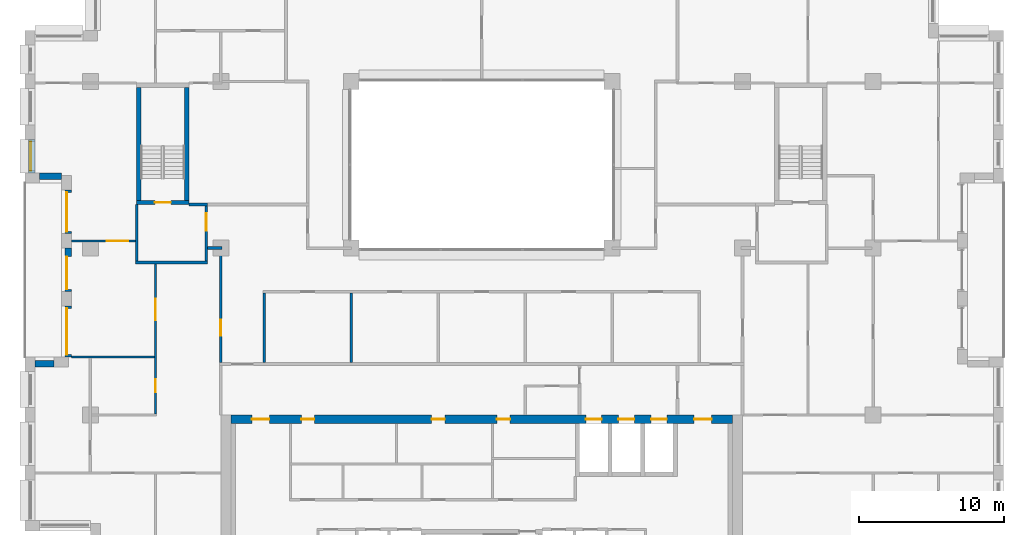
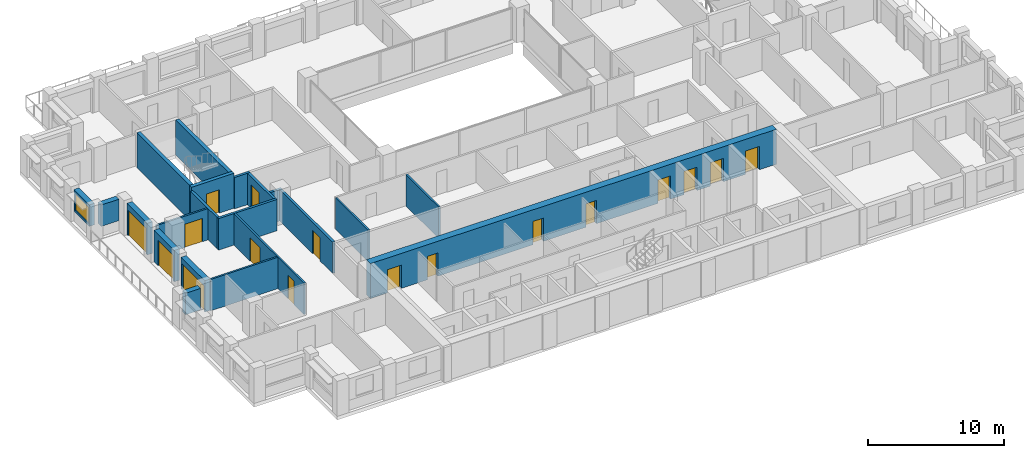
# One storey, part 9 of 16: 21 walls, 17 doors, 1 window, 18 openings.
"""IFC4 building model written with IfcOpenShell, lengths in metres."""

import ifcopenshell
import ifcopenshell.guid

model = None  # the IFC model being written
_history = None  # IfcOwnerHistory: only IFC2X3 demands one
_inside = {}  # id of a spatial element -> (the spatial element, [elements in it])
_under = {}  # id of a project, library or spatial element -> (it, [spatial elements below it])
_declared = {}  # id of a project -> (the project, [libraries it declares])
_typed = {}  # id of a type object -> (the type object, [elements of that type])
_made_of = {}  # id of a material, layer set ... -> (it, [elements and type objects made of it])


def new_model(schema):
    """Start an empty IFC model of exactly this schema.

    Asked for "IFC4X3", IfcOpenShell would pick the latest addendum, in which some entities
    have other attributes; the version numbers below select the first issue.
    IFC2X3 requires an IfcOwnerHistory on every rooted entity: one is made here for all.
    """
    global model, _history
    if schema == "IFC4X3":
        model = ifcopenshell.file(schema_version=(4, 3, 0, 0))
    else:
        model = ifcopenshell.file(schema=schema)
    _inside.clear()
    _under.clear()
    _declared.clear()
    _typed.clear()
    _made_of.clear()
    _history = None
    if model.schema == "IFC2X3":
        org = make("IfcOrganization", Name="unknown")
        user = make(
            "IfcPersonAndOrganization",
            ThePerson=make("IfcPerson", FamilyName="unknown"),
            TheOrganization=org,
        )
        app = make(
            "IfcApplication",
            ApplicationDeveloper=org,
            Version="unknown",
            ApplicationFullName="unknown",
            ApplicationIdentifier="unknown",
        )
        _history = make(
            "IfcOwnerHistory",
            OwningUser=user,
            OwningApplication=app,
            ChangeAction="ADDED",
            CreationDate=0,
        )
    return model


def make(cls, **values):
    """One entity of the class cls with the attributes given. An attribute that is None is left unset."""
    return model.create_entity(
        cls, **{name: value for name, value in values.items() if value is not None}
    )


def rooted(cls, **values):
    """An entity with a GlobalId (a new one), such as an element, a storey or a relation."""
    return make(cls, GlobalId=ifcopenshell.guid.new(), OwnerHistory=_history, **values)


def si_unit(unit_type, name, prefix=None):
    """IfcSIUnit, for example si_unit("LENGTHUNIT", "METRE", prefix="MILLI")."""
    return make("IfcSIUnit", UnitType=unit_type, Prefix=prefix, Name=name)


def assignment(units):
    """IfcUnitAssignment: the units of a project."""
    return None if units is None else make("IfcUnitAssignment", Units=units)


def point(xyz):
    """IfcCartesianPoint."""
    return None if xyz is None else make("IfcCartesianPoint", Coordinates=xyz)


def direction(xyz):
    """IfcDirection."""
    return None if xyz is None else make("IfcDirection", DirectionRatios=xyz)


def frame(location, z_axis=None, x_axis=None):
    """IfcAxis2Placement3D, a coordinate frame: its origin and axes. An axis left out is left unset."""
    return make(
        "IfcAxis2Placement3D",
        Location=point(location),
        Axis=direction(z_axis),
        RefDirection=direction(x_axis),
    )


def frame_2d(location, x_axis=None):
    """IfcAxis2Placement2D, a coordinate frame in the plane: its origin and x axis."""
    return make(
        "IfcAxis2Placement2D", Location=point(location), RefDirection=direction(x_axis)
    )


def origin():
    """The frame at (0, 0, 0) with its axes left unset."""
    return frame((0.0, 0.0, 0.0))


def place(relative_to, where):
    """IfcLocalPlacement: puts the frame where relative to a parent placement (None: the world)."""
    return make(
        "IfcLocalPlacement", PlacementRelTo=relative_to, RelativePlacement=where
    )


def context(
    kind, dimensions, precision=None, world=None, true_north=None, identifier=None
):
    """IfcGeometricRepresentationContext, for example the 3D "Model" context."""
    return make(
        "IfcGeometricRepresentationContext",
        ContextIdentifier=identifier,
        ContextType=kind,
        CoordinateSpaceDimension=dimensions,
        Precision=precision,
        WorldCoordinateSystem=world,
        TrueNorth=true_north,
    )


def subcontext(parent, identifier, kind, view, scale=None):
    """IfcGeometricRepresentationSubContext, for example "Body" below "Model"."""
    return make(
        "IfcGeometricRepresentationSubContext",
        ContextIdentifier=identifier,
        ContextType=kind,
        ParentContext=parent,
        TargetScale=scale,
        TargetView=view,
    )


def project(units=None, contexts=None):
    """IfcProject with its units and contexts."""
    return rooted(
        "IfcProject",
        Name="project",
        RepresentationContexts=contexts,
        UnitsInContext=assignment(units),
    )


def spatial(cls, under=None, at=None, **own):
    """A site, building, storey or space (cls), placed at a placement, below another one or the project."""
    s = rooted(cls, ObjectPlacement=at, **own)
    if under is not None:
        _under.setdefault(under.id(), (under, []))[1].append(s)
    return s


def profile(cls, at=None, kind="AREA", **sizes):
    """A parametric profile (cls). Its sizes go by their IFC names, for example OverallWidth=200.0."""
    return make(cls, ProfileType=kind, Position=at, **sizes)


def rectangle(**sizes):
    """IfcRectangleProfileDef."""
    return profile("IfcRectangleProfileDef", **sizes)


def extrude(swept, where, along, depth):
    """IfcExtrudedAreaSolid: the profile swept, set in the frame where, extruded along a direction by depth."""
    return make(
        "IfcExtrudedAreaSolid",
        SweptArea=swept,
        Position=where,
        ExtrudedDirection=direction(along),
        Depth=depth,
    )


def shape(context_of_items, identifier, shape_type, items):
    """IfcShapeRepresentation: the items that make up one representation, for example the "Body"."""
    return make(
        "IfcShapeRepresentation",
        ContextOfItems=context_of_items,
        RepresentationIdentifier=identifier,
        RepresentationType=shape_type,
        Items=items,
    )


def material(Name=None, Category=None):
    """IfcMaterial."""
    return make("IfcMaterial", Name=Name, Category=Category)


def layer(
    of_material, thickness, ventilated=None, Name=None, Category=None, Priority=None
):
    """IfcMaterialLayer: one layer of a wall or slab, of a material (None: an air gap)."""
    return make(
        "IfcMaterialLayer",
        Material=of_material,
        LayerThickness=thickness,
        IsVentilated=ventilated,
        Name=Name,
        Category=Category,
        Priority=Priority,
    )


def layer_set(layers, Name=None):
    """IfcMaterialLayerSet."""
    return make("IfcMaterialLayerSet", MaterialLayers=layers, LayerSetName=Name)


def made_of(thing, what):
    """Note that an element or type object is made of a material, layer set ...; save() writes the relation."""
    if what is not None:
        _made_of.setdefault(what.id(), (what, []))[1].append(thing)
    return thing


def type_object(cls, material=None, **own):
    """A type object (cls), such as IfcWallType, which elements share."""
    return made_of(rooted(cls, **own), material)


def element(
    cls,
    number,
    at=None,
    inside=None,
    cuts=None,
    type_object=None,
    material=None,
    context=None,
    identifier="Body",
    shape_type=None,
    held_by="IfcProductDefinitionShape",
    body=None,
    shapes=None,
    **own,
):
    """One element of the class cls, such as IfcWall. Its Tag is "e" and its number.

    at: its placement. inside: the storey or other place that contains it. cuts: it is an
    opening in that element (IfcRelVoidsElement). A single representation is given by context,
    identifier, shape_type and body (its items); several are given by shapes. held_by: the class
    of the entity that holds the representations. save() writes the other relations.
    """
    e = rooted(cls, Tag="e%d" % number, ObjectPlacement=at, **own)
    if body is not None:
        shapes = [shape(context, identifier, shape_type, body)]
    if shapes is not None:
        e.Representation = make(held_by, Representations=shapes)
    if inside is not None:
        _inside.setdefault(inside.id(), (inside, []))[1].append(e)
    if cuts is not None:
        rooted(
            "IfcRelVoidsElement", RelatingBuildingElement=cuts, RelatedOpeningElement=e
        )
    if type_object is not None:
        _typed.setdefault(type_object.id(), (type_object, []))[1].append(e)
    return made_of(e, material)


def fill(opening, filler):
    """IfcRelFillsElement: the door or window that sits in an opening."""
    return rooted(
        "IfcRelFillsElement",
        RelatingOpeningElement=opening,
        RelatedBuildingElement=filler,
    )


def aggregate(whole, parts):
    """IfcRelAggregates: a whole, such as a stair, and the parts it consists of."""
    return rooted("IfcRelAggregates", RelatingObject=whole, RelatedObjects=parts)


def save(model, path):
    """Write the relations noted so far, then the file.

    IfcRelAggregates (storeys below a building ...), IfcRelContainedInSpatialStructure (elements
    in a storey), IfcRelDefinesByType, IfcRelAssociatesMaterial and IfcRelDeclares: one each for
    every whole, place, type object, material and project.
    """
    for whole, parts in _under.values():
        aggregate(whole, parts)
    for where, things in _inside.values():
        rooted(
            "IfcRelContainedInSpatialStructure",
            RelatedElements=things,
            RelatingStructure=where,
        )
    for kind, things in _typed.values():
        rooted("IfcRelDefinesByType", RelatedObjects=things, RelatingType=kind)
    for what, things in _made_of.values():
        rooted("IfcRelAssociatesMaterial", RelatedObjects=things, RelatingMaterial=what)
    for by, libraries in _declared.values():
        rooted("IfcRelDeclares", RelatingContext=by, RelatedDefinitions=libraries)
    model.write(path)


model = new_model("IFC4")

# Units and contexts
model_context = context("Model", 3, precision=1e-05, world=origin(), true_north=direction((0.0, 1.0)))
body_context = subcontext(model_context, "Body", "Model", "MODEL_VIEW")
ifc_project = project(units=[si_unit("LENGTHUNIT", "METRE"), si_unit("AREAUNIT", "SQUARE_METRE"), si_unit("VOLUMEUNIT", "CUBIC_METRE"), si_unit("PLANEANGLEUNIT", "RADIAN"), si_unit("MASSUNIT", "GRAM", prefix="KILO")], contexts=[model_context])

# Site, building, storey
site_placement = place(None, origin())
site = spatial("IfcSite", under=ifc_project, at=site_placement, CompositionType="ELEMENT")
building_placement = place(site_placement, origin())
building = spatial("IfcBuilding", under=site, at=building_placement, Name="Brigalow Station Residences", CompositionType="ELEMENT")
storey_placement = place(building_placement, frame((0.0, 0.0, 160.199951171875)))
storey = spatial("IfcBuildingStorey", under=building, at=storey_placement, Name="L46", CompositionType="ELEMENT", Elevation=160.199951171875)

# Wall, opening, window
ifc_material_1 = material(Name="Clay brick masonry", Category="masonry")
ifc_layer_1 = layer(ifc_material_1, 0.449951171875)
ifc_layer_set_1 = layer_set([ifc_layer_1], Name="BRICK INFILL WALL 450")
wall_type_1 = type_object("IfcWallType", Name="BRICK INFILL WALL 450", PredefinedType="SOLIDWALL", material=ifc_layer_set_1)
wall_1_placement = place(storey_placement, frame((4.97509765625, 31.5, 0.900146484375), z_axis=(0.0, 0.0, 1.0), x_axis=(0.0, -1.0, 0.0)))
wall_1 = element("IfcWall", 1, at=wall_1_placement, inside=storey, type_object=wall_type_1, Name="L46/ewall/W-L46-39", PredefinedType="SOLIDWALL", context=body_context, shape_type="SweptSolid", body=[
    extrude(rectangle(XDim=2.300048828125, YDim=0.449951171875, at=frame_2d((1.14990234375, 0.0))), origin(), (0.0, 0.0, 1.0), 1.929931640625),
])
opening_1_placement = place(wall_1_placement, frame((0.14990234375, 0.0, 0.14990234375)))
opening_1 = element("IfcOpeningElement", 2, at=opening_1_placement, cuts=wall_1, Name="Opening WT-7", PredefinedType="OPENING", context=body_context, shape_type="SweptSolid", body=[
    extrude(rectangle(XDim=2.0, YDim=1.5, at=frame_2d((1.0, 0.75))), frame((0.0, 0.23486328125, 0.0), z_axis=(0.0, -1.0, 0.0), x_axis=(1.0, 0.0, 0.0)), (0.0, 0.0, 1.0), 0.469970703125),
])
ifc_material_2 = material(Name="Anodised aluminium frame with double glazing", Category="aluminium")
window_type = type_object("IfcWindowType", Name="WINDOW 2000x1500", PartitioningType="SINGLE_PANEL", PredefinedType="WINDOW", material=ifc_material_2)
window_placement = place(opening_1_placement, origin())
window = element("IfcWindow", 3, at=window_placement, inside=storey, type_object=window_type, Name="L46/window/W-L46-39", OverallHeight=1.5, OverallWidth=2.0, PartitioningType="SINGLE_PANEL", PredefinedType="WINDOW", context=body_context, shape_type="SweptSolid", body=[
    extrude(rectangle(XDim=2.0, YDim=1.5, at=frame_2d((1.0, 0.75))), frame((0.0, -0.06494140625, 0.0), z_axis=(0.0, -1.0, 0.0), x_axis=(1.0, 0.0, 0.0)), (0.0, 0.0, 1.0), 0.06005859375),
])
fill(opening_1, window)

# Wall
wall_2_placement = place(storey_placement, frame((5.5, 28.97509765625, 0.900146484375), z_axis=(0.0, 0.0, 1.0), x_axis=(1.0, 0.0, 0.0)))
element("IfcWall", 4, at=wall_2_placement, inside=storey, type_object=wall_type_1, Name="L46/ewall/W-L46-40", PredefinedType="SOLIDWALL", context=body_context, shape_type="SweptSolid", body=[
    extrude(rectangle(XDim=1.5, YDim=0.449951171875, at=frame_2d((0.75, 0.0))), origin(), (0.0, 0.0, 1.0), 1.929931640625),
])

# Wall, opening, door
wall_3_placement = place(storey_placement, frame((7.47509765625, 28.0, 0.0), z_axis=(0.0, 0.0, 1.0), x_axis=(0.0, -1.0, 0.0)))
wall_3 = element("IfcWall", 5, at=wall_3_placement, inside=storey, type_object=wall_type_1, Name="L46/ewall/W-L46-41", PredefinedType="SOLIDWALL", context=body_context, shape_type="SweptSolid", body=[
    extrude(rectangle(XDim=3.0, YDim=0.449951171875, at=frame_2d((1.5, 0.0))), origin(), (0.0, 0.0, 1.0), 2.830078125),
])
opening_2_placement = place(wall_3_placement, frame((0.14990234375, 0.0, 0.0)))
opening_2 = element("IfcOpeningElement", 6, at=opening_2_placement, cuts=wall_3, Name="Opening D-B2700", PredefinedType="OPENING", context=body_context, shape_type="SweptSolid", body=[
    extrude(rectangle(XDim=2.699951171875, YDim=2.300048828125, at=frame_2d((1.35009765625, 1.14990234375))), frame((0.0, 0.23486328125, 0.0), z_axis=(0.0, -1.0, 0.0), x_axis=(1.0, 0.0, 0.0)), (0.0, 0.0, 1.0), 0.469970703125),
])
ifc_material_3 = material(Name="Anodised aluminium frame with double glazing", Category="aluminium")
door_type_1 = type_object("IfcDoorType", Name="BALCONY SLIDING DOOR 2700x2300", OperationType="SLIDING_TO_LEFT", PredefinedType="DOOR", material=ifc_material_3)
door_1_placement = place(opening_2_placement, origin())
door_1 = element("IfcDoor", 7, at=door_1_placement, inside=storey, type_object=door_type_1, Name="L46/balcony-door/W-L46-41", OperationType="SLIDING_TO_LEFT", OverallHeight=2.300048828125, OverallWidth=2.699951171875, PredefinedType="DOOR", context=body_context, shape_type="SweptSolid", body=[
    extrude(rectangle(XDim=2.699951171875, YDim=2.300048828125, at=frame_2d((1.35009765625, 1.14990234375))), frame((0.0, -0.06982421875, 0.0), z_axis=(0.0, -1.0, 0.0), x_axis=(1.0, 0.0, 0.0)), (0.0, 0.0, 1.0), 0.050048828125),
])
fill(opening_2, door_1)

wall_4_placement = place(storey_placement, frame((7.47509765625, 24.0, 0.0), z_axis=(0.0, 0.0, 1.0), x_axis=(0.0, -1.0, 0.0)))
wall_4 = element("IfcWall", 8, at=wall_4_placement, inside=storey, type_object=wall_type_1, Name="L46/ewall/W-L46-42", PredefinedType="SOLIDWALL", context=body_context, shape_type="SweptSolid", body=[
    extrude(rectangle(XDim=3.0, YDim=0.449951171875, at=frame_2d((1.5, 0.0))), origin(), (0.0, 0.0, 1.0), 2.830078125),
])
opening_3_placement = place(wall_4_placement, frame((0.5849609375, 0.0, 0.0)))
opening_3 = element("IfcOpeningElement", 9, at=opening_3_placement, cuts=wall_4, Name="Opening D-B2250", PredefinedType="OPENING", context=body_context, shape_type="SweptSolid", body=[
    extrude(rectangle(XDim=2.25, YDim=2.300048828125, at=frame_2d((1.125, 1.14990234375))), frame((0.0, 0.23486328125, 0.0), z_axis=(0.0, -1.0, 0.0), x_axis=(1.0, 0.0, 0.0)), (0.0, 0.0, 1.0), 0.469970703125),
])
ifc_material_4 = material(Name="Anodised aluminium frame with double glazing", Category="aluminium")
door_type_2 = type_object("IfcDoorType", Name="BALCONY SLIDING DOOR 2250x2300", OperationType="SLIDING_TO_LEFT", PredefinedType="DOOR", material=ifc_material_4)
door_2_placement = place(opening_3_placement, origin())
door_2 = element("IfcDoor", 10, at=door_2_placement, inside=storey, type_object=door_type_2, Name="L46/balcony-door/W-L46-42", OperationType="SLIDING_TO_LEFT", OverallHeight=2.300048828125, OverallWidth=2.25, PredefinedType="DOOR", context=body_context, shape_type="SweptSolid", body=[
    extrude(rectangle(XDim=2.25, YDim=2.300048828125, at=frame_2d((1.125, 1.14990234375))), frame((0.0, -0.06982421875, 0.0), z_axis=(0.0, -1.0, 0.0), x_axis=(1.0, 0.0, 0.0)), (0.0, 0.0, 1.0), 0.050048828125),
])
fill(opening_3, door_2)

wall_5_placement = place(storey_placement, frame((7.47509765625, 20.0, 0.0), z_axis=(0.0, 0.0, 1.0), x_axis=(0.0, -1.0, 0.0)))
wall_5 = element("IfcWall", 11, at=wall_5_placement, inside=storey, type_object=wall_type_1, Name="L46/ewall/W-L46-43", PredefinedType="SOLIDWALL", context=body_context, shape_type="SweptSolid", body=[
    extrude(rectangle(XDim=3.5, YDim=0.449951171875, at=frame_2d((1.75, 0.0))), origin(), (0.0, 0.0, 1.0), 2.830078125),
])
opening_4_placement = place(wall_5_placement, frame((0.14990234375, 0.0, 0.0)))
opening_4 = element("IfcOpeningElement", 12, at=opening_4_placement, cuts=wall_5, Name="Opening D-B3200", PredefinedType="OPENING", context=body_context, shape_type="SweptSolid", body=[
    extrude(rectangle(XDim=3.199951171875, YDim=2.300048828125, at=frame_2d((1.60009765625, 1.14990234375))), frame((0.0, 0.23486328125, 0.0), z_axis=(0.0, -1.0, 0.0), x_axis=(1.0, 0.0, 0.0)), (0.0, 0.0, 1.0), 0.469970703125),
])
ifc_material_5 = material(Name="Anodised aluminium frame with double glazing", Category="aluminium")
door_type_3 = type_object("IfcDoorType", Name="BALCONY SLIDING DOOR 3200x2300", OperationType="SLIDING_TO_LEFT", PredefinedType="DOOR", material=ifc_material_5)
door_3_placement = place(opening_4_placement, origin())
door_3 = element("IfcDoor", 13, at=door_3_placement, inside=storey, type_object=door_type_3, Name="L46/balcony-door/W-L46-43", OperationType="SLIDING_TO_LEFT", OverallHeight=2.300048828125, OverallWidth=3.199951171875, PredefinedType="DOOR", context=body_context, shape_type="SweptSolid", body=[
    extrude(rectangle(XDim=3.199951171875, YDim=2.300048828125, at=frame_2d((1.60009765625, 1.14990234375))), frame((0.0, -0.06982421875, 0.0), z_axis=(0.0, -1.0, 0.0), x_axis=(1.0, 0.0, 0.0)), (0.0, 0.0, 1.0), 0.050048828125),
])
fill(opening_4, door_3)

# Wall
wall_6_placement = place(storey_placement, frame((6.5, 16.02490234375, 0.900146484375), z_axis=(0.0, 0.0, 1.0), x_axis=(-1.0, 0.0, 0.0)))
element("IfcWall", 14, at=wall_6_placement, inside=storey, type_object=wall_type_1, Name="L46/ewall/W-L46-44", PredefinedType="SOLIDWALL", context=body_context, shape_type="SweptSolid", body=[
    extrude(rectangle(XDim=1.300048828125, YDim=0.449951171875, at=frame_2d((0.64990234375, 0.0))), origin(), (0.0, 0.0, 1.0), 1.929931640625),
])

# Wall, opening, door
ifc_material_6 = material(Name="Concrete C65", Category="concrete")
ifc_layer_2 = layer(ifc_material_6, 0.300048828125)
ifc_layer_set_2 = layer_set([ifc_layer_2], Name="CORE SHEAR WALL 300 C65")
wall_type_2 = type_object("IfcWallType", Name="CORE SHEAR WALL 300 C65", PredefinedType="SHEAR", material=ifc_layer_set_2)
wall_7_placement = place(storey_placement, frame((12.199951171875, 27.14990234375, 0.0), z_axis=(0.0, 0.0, 1.0), x_axis=(1.0, 0.0, 0.0)))
wall_7 = element("IfcWall", 15, at=wall_7_placement, inside=storey, type_object=wall_type_2, Name="CORE WALL ST-S1-S L46", PredefinedType="SHEAR", context=body_context, shape_type="SweptSolid", body=[
    extrude(rectangle(XDim=3.60009765625, YDim=0.300048828125, at=frame_2d((1.800048828125, 0.0))), origin(), (0.0, 0.0, 1.0), 3.150146484375),
])
opening_5_placement = place(wall_7_placement, frame((1.25, 0.0, 0.0)))
opening_5 = element("IfcOpeningElement", 16, at=opening_5_placement, cuts=wall_7, Name="Opening D-5015", PredefinedType="OPENING", context=body_context, shape_type="SweptSolid", body=[
    extrude(rectangle(XDim=1.10009765625, YDim=2.10009765625, at=frame_2d((0.550048828125, 1.050048828125))), frame((0.0, 0.16015625, 0.0), z_axis=(0.0, -1.0, 0.0), x_axis=(1.0, 0.0, 0.0)), (0.0, 0.0, 1.0), 0.320068359375),
])
ifc_material_7 = material(Name="Steel fire door leaf in steel frame", Category="steel")
door_type_4 = type_object("IfcDoorType", Name="STAIR DOOR 1100 x 2100 FD60S", OperationType="SINGLE_SWING_LEFT", PredefinedType="DOOR", material=ifc_material_7)
door_4_placement = place(opening_5_placement, origin())
door_4 = element("IfcDoor", 17, at=door_4_placement, inside=storey, type_object=door_type_4, Name="D-5015", OperationType="SINGLE_SWING_LEFT", OverallHeight=2.10009765625, OverallWidth=1.10009765625, PredefinedType="DOOR", context=body_context, shape_type="SweptSolid", body=[
    extrude(rectangle(XDim=1.10009765625, YDim=2.10009765625, at=frame_2d((0.550048828125, 1.050048828125))), frame((0.0, 0.02490234375, 0.0), z_axis=(0.0, -1.0, 0.0), x_axis=(1.0, 0.0, 0.0)), (0.0, 0.0, 1.0), 0.050048828125),
])
fill(opening_5, door_4)

# Walls
for number, where, z_axis, x_axis, name in (
    (18, (12.35009765625, 27.300048828125, 0.0), (0.0, 0.0, 1.0), (0.0, 1.0, 0.0), "CORE WALL ST-S1-W L46"),
    (19, (15.64990234375, 27.300048828125, 0.0), (0.0, 0.0, 1.0), (0.0, 1.0, 0.0), "CORE WALL ST-S1-E L46"),
):
    element("IfcWall", number, at=place(storey_placement, frame(where, z_axis=z_axis, x_axis=x_axis)), inside=storey, type_object=wall_type_2, Name=name, PredefinedType="SHEAR", context=body_context, shape_type="SweptSolid", body=[
        extrude(rectangle(XDim=7.800048828125, YDim=0.300048828125, at=frame_2d((3.89990234375, 0.0))), origin(), (0.0, 0.0, 1.0), 3.150146484375),
    ])

# Wall, openings, doors
ifc_material_8 = material(Name="Concrete C65", Category="concrete")
ifc_layer_3 = layer(ifc_material_8, 0.60009765625)
ifc_layer_set_3 = layer_set([ifc_layer_3], Name="CORE SHEAR WALL 600 C65")
wall_type_3 = type_object("IfcWallType", Name="CORE SHEAR WALL 600 C65", PredefinedType="SHEAR", material=ifc_layer_set_3)
wall_8_placement = place(storey_placement, frame((18.699951171875, 12.199951171875, 0.0), z_axis=(0.0, 0.0, 1.0), x_axis=(1.0, 0.0, 0.0)))
wall_8 = element("IfcWall", 20, at=wall_8_placement, inside=storey, type_object=wall_type_3, Name="CORE WALL OUT-N L46", PredefinedType="SHEAR", context=body_context, shape_type="SweptSolid", body=[
    extrude(rectangle(XDim=34.60009765625, YDim=0.60009765625, at=frame_2d((17.300048828125, 0.0))), origin(), (0.0, 0.0, 1.0), 3.150146484375),
])
opening_6_placement = place(wall_8_placement, frame((24.47509765625, 0.0, 0.0)))
opening_6 = element("IfcOpeningElement", 21, at=opening_6_placement, cuts=wall_8, Name="Opening LD-LF1", PredefinedType="OPENING", context=body_context, shape_type="SweptSolid", body=[
    extrude(rectangle(XDim=1.10009765625, YDim=2.10009765625, at=frame_2d((0.550048828125, 1.050048828125))), frame((0.0, 0.31005859375, 0.0), z_axis=(0.0, -1.0, 0.0), x_axis=(1.0, 0.0, 0.0)), (0.0, 0.0, 1.0), 0.6201171875),
])
opening_7_placement = place(wall_8_placement, frame((26.72509765625, 0.0, 0.0)))
opening_7 = element("IfcOpeningElement", 22, at=opening_7_placement, cuts=wall_8, Name="Opening LD-LF2", PredefinedType="OPENING", context=body_context, shape_type="SweptSolid", body=[
    extrude(rectangle(XDim=1.10009765625, YDim=2.10009765625, at=frame_2d((0.550048828125, 1.050048828125))), frame((0.0, 0.31005859375, 0.0), z_axis=(0.0, -1.0, 0.0), x_axis=(1.0, 0.0, 0.0)), (0.0, 0.0, 1.0), 0.6201171875),
])
opening_8_placement = place(wall_8_placement, frame((28.97509765625, 0.0, 0.0)))
opening_8 = element("IfcOpeningElement", 23, at=opening_8_placement, cuts=wall_8, Name="Opening LD-LG1", PredefinedType="OPENING", context=body_context, shape_type="SweptSolid", body=[
    extrude(rectangle(XDim=1.10009765625, YDim=2.10009765625, at=frame_2d((0.550048828125, 1.050048828125))), frame((0.0, 0.31005859375, 0.0), z_axis=(0.0, -1.0, 0.0), x_axis=(1.0, 0.0, 0.0)), (0.0, 0.0, 1.0), 0.6201171875),
])
opening_9_placement = place(wall_8_placement, frame((4.85009765625, 0.0, 0.0)))
opening_9 = element("IfcOpeningElement", 24, at=opening_9_placement, cuts=wall_8, Name="Opening D-5118", PredefinedType="OPENING", context=body_context, shape_type="SweptSolid", body=[
    extrude(rectangle(XDim=0.89990234375, YDim=2.10009765625, at=frame_2d((0.449951171875, 1.050048828125))), frame((0.0, 0.31005859375, 0.0), z_axis=(0.0, -1.0, 0.0), x_axis=(1.0, 0.0, 0.0)), (0.0, 0.0, 1.0), 0.6201171875),
])
opening_10_placement = place(wall_8_placement, frame((13.85009765625, 0.0, 0.0)))
opening_10 = element("IfcOpeningElement", 25, at=opening_10_placement, cuts=wall_8, Name="Opening D-5120", PredefinedType="OPENING", context=body_context, shape_type="SweptSolid", body=[
    extrude(rectangle(XDim=0.89990234375, YDim=2.10009765625, at=frame_2d((0.449951171875, 1.050048828125))), frame((0.0, 0.31005859375, 0.0), z_axis=(0.0, -1.0, 0.0), x_axis=(1.0, 0.0, 0.0)), (0.0, 0.0, 1.0), 0.6201171875),
])
opening_11_placement = place(wall_8_placement, frame((18.35009765625, 0.0, 0.0)))
opening_11 = element("IfcOpeningElement", 26, at=opening_11_placement, cuts=wall_8, Name="Opening D-5119", PredefinedType="OPENING", context=body_context, shape_type="SweptSolid", body=[
    extrude(rectangle(XDim=0.89990234375, YDim=2.10009765625, at=frame_2d((0.449951171875, 1.050048828125))), frame((0.0, 0.31005859375, 0.0), z_axis=(0.0, -1.0, 0.0), x_axis=(1.0, 0.0, 0.0)), (0.0, 0.0, 1.0), 0.6201171875),
])
opening_12_placement = place(wall_8_placement, frame((1.449951171875, 0.0, 0.0)))
opening_12 = element("IfcOpeningElement", 27, at=opening_12_placement, cuts=wall_8, Name="Opening D-5011", PredefinedType="OPENING", context=body_context, shape_type="SweptSolid", body=[
    extrude(rectangle(XDim=1.199951171875, YDim=2.10009765625, at=frame_2d((0.60009765625, 1.050048828125))), frame((0.0, 0.31005859375, 0.0), z_axis=(0.0, -1.0, 0.0), x_axis=(1.0, 0.0, 0.0)), (0.0, 0.0, 1.0), 0.6201171875),
])
opening_13_placement = place(wall_8_placement, frame((31.949951171875, 0.0, 0.0)))
opening_13 = element("IfcOpeningElement", 28, at=opening_13_placement, cuts=wall_8, Name="Opening D-5012", PredefinedType="OPENING", context=body_context, shape_type="SweptSolid", body=[
    extrude(rectangle(XDim=1.199951171875, YDim=2.10009765625, at=frame_2d((0.60009765625, 1.050048828125))), frame((0.0, 0.31005859375, 0.0), z_axis=(0.0, -1.0, 0.0), x_axis=(1.0, 0.0, 0.0)), (0.0, 0.0, 1.0), 0.6201171875),
])
ifc_material_9 = material(Name="Steel fire door leaf in steel frame", Category="steel")
door_type_5 = type_object("IfcDoorType", Name="CORE CORRIDOR DOOR 1200 x 2100 FD60S", OperationType="SINGLE_SWING_LEFT", PredefinedType="DOOR", material=ifc_material_9)
door_5_placement = place(opening_12_placement, frame((1.199951171875, 0.0, 0.0), z_axis=(0.0, 0.0, 1.0), x_axis=(-1.0, 0.0, 0.0)))
door_5 = element("IfcDoor", 29, at=door_5_placement, inside=storey, type_object=door_type_5, Name="D-5011", OperationType="SINGLE_SWING_LEFT", OverallHeight=2.10009765625, OverallWidth=1.199951171875, PredefinedType="DOOR", context=body_context, shape_type="SweptSolid", body=[
    extrude(rectangle(XDim=1.199951171875, YDim=2.10009765625, at=frame_2d((0.60009765625, 1.050048828125))), frame((0.0, 0.02490234375, 0.0), z_axis=(0.0, -1.0, 0.0), x_axis=(1.0, 0.0, 0.0)), (0.0, 0.0, 1.0), 0.050048828125),
])
fill(opening_12, door_5)
door_6_placement = place(opening_13_placement, frame((1.199951171875, 0.0, 0.0), z_axis=(0.0, 0.0, 1.0), x_axis=(-1.0, 0.0, 0.0)))
door_6 = element("IfcDoor", 30, at=door_6_placement, inside=storey, type_object=door_type_5, Name="D-5012", OperationType="SINGLE_SWING_RIGHT", OverallHeight=2.10009765625, OverallWidth=1.199951171875, PredefinedType="DOOR", context=body_context, shape_type="SweptSolid", body=[
    extrude(rectangle(XDim=1.199951171875, YDim=2.10009765625, at=frame_2d((0.60009765625, 1.050048828125))), frame((0.0, 0.02490234375, 0.0), z_axis=(0.0, -1.0, 0.0), x_axis=(1.0, 0.0, 0.0)), (0.0, 0.0, 1.0), 0.050048828125),
])
fill(opening_13, door_6)
ifc_material_10 = material(Name="Stainless steel sliding door leaves", Category="steel")
door_type_6 = type_object("IfcDoorType", Name="LIFT LANDING DOOR 1100 x 2100", OperationType="DOUBLE_DOOR_SLIDING", PredefinedType="DOOR", material=ifc_material_10)
door_7_placement = place(opening_6_placement, origin())
door_7 = element("IfcDoor", 31, at=door_7_placement, inside=storey, type_object=door_type_6, Name="LANDING DOOR LF1", OperationType="DOUBLE_DOOR_SLIDING", OverallHeight=2.10009765625, OverallWidth=1.10009765625, PredefinedType="DOOR", context=body_context, shape_type="SweptSolid", body=[
    extrude(rectangle(XDim=1.10009765625, YDim=2.10009765625, at=frame_2d((0.550048828125, 1.050048828125))), frame((0.0, 0.02490234375, 0.0), z_axis=(0.0, -1.0, 0.0), x_axis=(1.0, 0.0, 0.0)), (0.0, 0.0, 1.0), 0.050048828125),
])
fill(opening_6, door_7)
door_8_placement = place(opening_7_placement, origin())
door_8 = element("IfcDoor", 32, at=door_8_placement, inside=storey, type_object=door_type_6, Name="LANDING DOOR LF2", OperationType="DOUBLE_DOOR_SLIDING", OverallHeight=2.10009765625, OverallWidth=1.10009765625, PredefinedType="DOOR", context=body_context, shape_type="SweptSolid", body=[
    extrude(rectangle(XDim=1.10009765625, YDim=2.10009765625, at=frame_2d((0.550048828125, 1.050048828125))), frame((0.0, 0.02490234375, 0.0), z_axis=(0.0, -1.0, 0.0), x_axis=(1.0, 0.0, 0.0)), (0.0, 0.0, 1.0), 0.050048828125),
])
fill(opening_7, door_8)
door_9_placement = place(opening_8_placement, origin())
door_9 = element("IfcDoor", 33, at=door_9_placement, inside=storey, type_object=door_type_6, Name="LANDING DOOR LG1", OperationType="DOUBLE_DOOR_SLIDING", OverallHeight=2.10009765625, OverallWidth=1.10009765625, PredefinedType="DOOR", context=body_context, shape_type="SweptSolid", body=[
    extrude(rectangle(XDim=1.10009765625, YDim=2.10009765625, at=frame_2d((0.550048828125, 1.050048828125))), frame((0.0, 0.02490234375, 0.0), z_axis=(0.0, -1.0, 0.0), x_axis=(1.0, 0.0, 0.0)), (0.0, 0.0, 1.0), 0.050048828125),
])
fill(opening_8, door_9)
ifc_material_11 = material(Name="Steel door leaf in steel frame", Category="steel")
door_type_7 = type_object("IfcDoorType", Name="SERVICE ROOM DOOR 900 x 2100 FD60", OperationType="SINGLE_SWING_LEFT", PredefinedType="DOOR", material=ifc_material_11)
door_10_placement = place(opening_9_placement, frame((0.89990234375, 0.0, 0.0), z_axis=(0.0, 0.0, 1.0), x_axis=(-1.0, 0.0, 0.0)))
door_10 = element("IfcDoor", 34, at=door_10_placement, inside=storey, type_object=door_type_7, Name="D-5118", OperationType="SINGLE_SWING_RIGHT", OverallHeight=2.10009765625, OverallWidth=0.89990234375, PredefinedType="DOOR", context=body_context, shape_type="SweptSolid", body=[
    extrude(rectangle(XDim=0.89990234375, YDim=2.10009765625, at=frame_2d((0.449951171875, 1.050048828125))), frame((0.0, 0.02490234375, 0.0), z_axis=(0.0, -1.0, 0.0), x_axis=(1.0, 0.0, 0.0)), (0.0, 0.0, 1.0), 0.050048828125),
])
fill(opening_9, door_10)
door_11_placement = place(opening_10_placement, frame((0.89990234375, 0.0, 0.0), z_axis=(0.0, 0.0, 1.0), x_axis=(-1.0, 0.0, 0.0)))
door_11 = element("IfcDoor", 35, at=door_11_placement, inside=storey, type_object=door_type_7, Name="D-5120", OperationType="SINGLE_SWING_RIGHT", OverallHeight=2.10009765625, OverallWidth=0.89990234375, PredefinedType="DOOR", context=body_context, shape_type="SweptSolid", body=[
    extrude(rectangle(XDim=0.89990234375, YDim=2.10009765625, at=frame_2d((0.449951171875, 1.050048828125))), frame((0.0, 0.02490234375, 0.0), z_axis=(0.0, -1.0, 0.0), x_axis=(1.0, 0.0, 0.0)), (0.0, 0.0, 1.0), 0.050048828125),
])
fill(opening_10, door_11)
door_12_placement = place(opening_11_placement, frame((0.89990234375, 0.0, 0.0), z_axis=(0.0, 0.0, 1.0), x_axis=(-1.0, 0.0, 0.0)))
door_12 = element("IfcDoor", 36, at=door_12_placement, inside=storey, type_object=door_type_7, Name="D-5119", OperationType="SINGLE_SWING_RIGHT", OverallHeight=2.10009765625, OverallWidth=0.89990234375, PredefinedType="DOOR", context=body_context, shape_type="SweptSolid", body=[
    extrude(rectangle(XDim=0.89990234375, YDim=2.10009765625, at=frame_2d((0.449951171875, 1.050048828125))), frame((0.0, 0.02490234375, 0.0), z_axis=(0.0, -1.0, 0.0), x_axis=(1.0, 0.0, 0.0)), (0.0, 0.0, 1.0), 0.050048828125),
])
fill(opening_11, door_12)

# Walls
ifc_material_12 = material(Name="Concrete blockwork", Category="masonry")
ifc_layer_4 = layer(ifc_material_12, 0.199951171875)
ifc_layer_set_4 = layer_set([ifc_layer_4], Name="FIRE RATED CORE PARTITION 200")
wall_type_4 = type_object("IfcWallType", Name="FIRE RATED CORE PARTITION 200", PredefinedType="PARTITIONING", material=ifc_layer_set_4)
wall_9_placement = place(storey_placement, frame((12.10009765625, 23.0, 0.0), z_axis=(0.0, 0.0, 1.0), x_axis=(1.0, 0.0, 0.0)))
element("IfcWall", 37, at=wall_9_placement, inside=storey, type_object=wall_type_4, Name="PW-5023", PredefinedType="PARTITIONING", context=body_context, shape_type="SweptSolid", body=[
    extrude(rectangle(XDim=5.0, YDim=0.199951171875, at=frame_2d((2.5, 0.0))), origin(), (0.0, 0.0, 1.0), 2.830078125),
])
wall_10_placement = place(storey_placement, frame((15.800048828125, 27.0, 0.0), z_axis=(0.0, 0.0, 1.0), x_axis=(1.0, 0.0, 0.0)))
element("IfcWall", 38, at=wall_10_placement, inside=storey, type_object=wall_type_4, Name="PW-5025", PredefinedType="PARTITIONING", context=body_context, shape_type="SweptSolid", body=[
    extrude(rectangle(XDim=1.300048828125, YDim=0.199951171875, at=frame_2d((0.64990234375, 0.0))), origin(), (0.0, 0.0, 1.0), 2.830078125),
])
wall_11_placement = place(storey_placement, frame((12.199951171875, 23.10009765625, 0.0), z_axis=(0.0, 0.0, 1.0), x_axis=(0.0, 1.0, 0.0)))
element("IfcWall", 39, at=wall_11_placement, inside=storey, type_object=wall_type_4, Name="PW-5034", PredefinedType="PARTITIONING", context=body_context, shape_type="SweptSolid", body=[
    extrude(rectangle(XDim=3.89990234375, YDim=0.199951171875, at=frame_2d((1.949951171875, 0.0))), origin(), (0.0, 0.0, 1.0), 2.830078125),
])

# Wall, opening, door
wall_12_placement = place(storey_placement, frame((17.0, 23.10009765625, 0.0), z_axis=(0.0, 0.0, 1.0), x_axis=(0.0, 1.0, 0.0)))
wall_12 = element("IfcWall", 40, at=wall_12_placement, inside=storey, type_object=wall_type_4, Name="PW-5035", PredefinedType="PARTITIONING", context=body_context, shape_type="SweptSolid", body=[
    extrude(rectangle(XDim=3.7998046875, YDim=0.199951171875, at=frame_2d((1.89990234375, 0.0))), origin(), (0.0, 0.0, 1.0), 2.830078125),
])
opening_14_placement = place(wall_12_placement, frame((2.10009765625, 0.0, 0.0)))
opening_14 = element("IfcOpeningElement", 41, at=opening_14_placement, cuts=wall_12, Name="Opening D-5016", PredefinedType="OPENING", context=body_context, shape_type="SweptSolid", body=[
    extrude(rectangle(XDim=1.199951171875, YDim=2.10009765625, at=frame_2d((0.60009765625, 1.050048828125))), frame((0.0, 0.10986328125, 0.0), z_axis=(0.0, -1.0, 0.0), x_axis=(1.0, 0.0, 0.0)), (0.0, 0.0, 1.0), 0.219970703125),
])
ifc_material_13 = material(Name="Steel fire door leaf in steel frame", Category="steel")
door_type_8 = type_object("IfcDoorType", Name="STAIR LOBBY DOOR 1200 x 2100 FD60S", OperationType="SINGLE_SWING_LEFT", PredefinedType="DOOR", material=ifc_material_13)
door_13_placement = place(opening_14_placement, origin())
door_13 = element("IfcDoor", 42, at=door_13_placement, inside=storey, type_object=door_type_8, Name="D-5016", OperationType="SINGLE_SWING_RIGHT", OverallHeight=2.10009765625, OverallWidth=1.199951171875, PredefinedType="DOOR", context=body_context, shape_type="SweptSolid", body=[
    extrude(rectangle(XDim=1.199951171875, YDim=2.10009765625, at=frame_2d((0.60009765625, 1.050048828125))), frame((0.0, 0.02490234375, 0.0), z_axis=(0.0, -1.0, 0.0), x_axis=(1.0, 0.0, 0.0)), (0.0, 0.0, 1.0), 0.050048828125),
])
fill(opening_14, door_13)

# Wall
ifc_material_14 = material(Name="Plasterboard on steel stud partition", Category="steel")
ifc_layer_5 = layer(ifc_material_14, 0.14990234375)
ifc_layer_set_5 = layer_set([ifc_layer_5], Name="FLAT PARTITION 150")
wall_type_5 = type_object("IfcWallType", Name="FLAT PARTITION 150", PredefinedType="PARTITIONING", material=ifc_layer_set_5)
wall_13_placement = place(storey_placement, frame((7.699951171875, 16.5, 0.0), z_axis=(0.0, 0.0, 1.0), x_axis=(1.0, 0.0, 0.0)))
element("IfcWall", 43, at=wall_13_placement, inside=storey, type_object=wall_type_5, Name="PW-3C11", PredefinedType="PARTITIONING", context=body_context, shape_type="SweptSolid", body=[
    extrude(rectangle(XDim=5.72509765625, YDim=0.14990234375, at=frame_2d((2.862548828125, 0.0))), origin(), (0.0, 0.0, 1.0), 2.830078125),
])

# Wall, opening, door
wall_14_placement = place(storey_placement, frame((7.699951171875, 24.5, 0.0), z_axis=(0.0, 0.0, 1.0), x_axis=(1.0, 0.0, 0.0)))
wall_14 = element("IfcWall", 44, at=wall_14_placement, inside=storey, type_object=wall_type_5, Name="PW-3C14", PredefinedType="PARTITIONING", context=body_context, shape_type="SweptSolid", body=[
    extrude(rectangle(XDim=4.400146484375, YDim=0.14990234375, at=frame_2d((2.2001953125, 0.0))), origin(), (0.0, 0.0, 1.0), 2.830078125),
])
opening_15_placement = place(wall_14_placement, frame((2.425048828125, 0.0, 0.0)))
opening_15 = element("IfcOpeningElement", 45, at=opening_15_placement, cuts=wall_14, Name="Opening D-3C09", PredefinedType="OPENING", context=body_context, shape_type="SweptSolid", body=[
    extrude(rectangle(XDim=1.5, YDim=2.10009765625, at=frame_2d((0.75, 1.050048828125))), frame((0.0, 0.0849609375, 0.0), z_axis=(0.0, -1.0, 0.0), x_axis=(1.0, 0.0, 0.0)), (0.0, 0.0, 1.0), 0.169921875),
])
ifc_material_15 = material(Name="Solid-core timber door leaf", Category="wood")
door_type_9 = type_object("IfcDoorType", Name="INTERNAL DOUBLE DOOR 1500 x 2100", OperationType="DOUBLE_DOOR_SINGLE_SWING", PredefinedType="DOOR", material=ifc_material_15)
door_14_placement = place(opening_15_placement, frame((1.5, 0.0, 0.0), z_axis=(0.0, 0.0, 1.0), x_axis=(-1.0, 0.0, 0.0)))
door_14 = element("IfcDoor", 46, at=door_14_placement, inside=storey, type_object=door_type_9, Name="D-3C09", OperationType="DOUBLE_DOOR_SINGLE_SWING", OverallHeight=2.10009765625, OverallWidth=1.5, PredefinedType="DOOR", context=body_context, shape_type="SweptSolid", body=[
    extrude(rectangle(XDim=1.5, YDim=2.10009765625, at=frame_2d((0.75, 1.050048828125))), frame((0.0, 0.02490234375, 0.0), z_axis=(0.0, -1.0, 0.0), x_axis=(1.0, 0.0, 0.0)), (0.0, 0.0, 1.0), 0.050048828125),
])
fill(opening_15, door_14)

# Wall
wall_15_placement = place(storey_placement, frame((21.0, 16.10009765625, 0.0), z_axis=(0.0, 0.0, 1.0), x_axis=(0.0, 1.0, 0.0)))
element("IfcWall", 47, at=wall_15_placement, inside=storey, type_object=wall_type_5, Name="PW-3C30", PredefinedType="PARTITIONING", context=body_context, shape_type="SweptSolid", body=[
    extrude(rectangle(XDim=4.824951171875, YDim=0.14990234375, at=frame_2d((2.41259765625, 0.0))), origin(), (0.0, 0.0, 1.0), 2.830078125),
])

# Wall, openings, doors
wall_16_placement = place(storey_placement, frame((13.5, 12.574951171875, 0.0), z_axis=(0.0, 0.0, 1.0), x_axis=(0.0, 1.0, 0.0)))
wall_16 = element("IfcWall", 48, at=wall_16_placement, inside=storey, type_object=wall_type_5, Name="PW-3C37", PredefinedType="PARTITIONING", context=body_context, shape_type="SweptSolid", body=[
    extrude(rectangle(XDim=10.324951171875, YDim=0.14990234375, at=frame_2d((5.16259765625, 0.0))), origin(), (0.0, 0.0, 1.0), 2.830078125),
])
opening_16_placement = place(wall_16_placement, frame((1.47509765625, 0.0, 0.0)))
opening_16 = element("IfcOpeningElement", 49, at=opening_16_placement, cuts=wall_16, Name="Opening D-3C06", PredefinedType="OPENING", context=body_context, shape_type="SweptSolid", body=[
    extrude(rectangle(XDim=0.89990234375, YDim=2.10009765625, at=frame_2d((0.449951171875, 1.050048828125))), frame((0.0, 0.0849609375, 0.0), z_axis=(0.0, -1.0, 0.0), x_axis=(1.0, 0.0, 0.0)), (0.0, 0.0, 1.0), 0.169921875),
])
opening_17_placement = place(wall_16_placement, frame((6.449951171875, 0.0, 0.0)))
opening_17 = element("IfcOpeningElement", 50, at=opening_17_placement, cuts=wall_16, Name="Opening D-3C08", PredefinedType="OPENING", context=body_context, shape_type="SweptSolid", body=[
    extrude(rectangle(XDim=1.5, YDim=2.10009765625, at=frame_2d((0.75, 1.050048828125))), frame((0.0, 0.0849609375, 0.0), z_axis=(0.0, -1.0, 0.0), x_axis=(1.0, 0.0, 0.0)), (0.0, 0.0, 1.0), 0.169921875),
])
ifc_material_16 = material(Name="Solid-core timber door leaf", Category="wood")
door_type_10 = type_object("IfcDoorType", Name="INTERNAL DOOR 900 x 2100", OperationType="SINGLE_SWING_LEFT", PredefinedType="DOOR", material=ifc_material_16)
door_15_placement = place(opening_16_placement, origin())
door_15 = element("IfcDoor", 51, at=door_15_placement, inside=storey, type_object=door_type_10, Name="D-3C06", OperationType="SINGLE_SWING_RIGHT", OverallHeight=2.10009765625, OverallWidth=0.89990234375, PredefinedType="DOOR", context=body_context, shape_type="SweptSolid", body=[
    extrude(rectangle(XDim=0.89990234375, YDim=2.10009765625, at=frame_2d((0.449951171875, 1.050048828125))), frame((0.0, 0.02490234375, 0.0), z_axis=(0.0, -1.0, 0.0), x_axis=(1.0, 0.0, 0.0)), (0.0, 0.0, 1.0), 0.050048828125),
])
fill(opening_16, door_15)
door_16_placement = place(opening_17_placement, origin())
door_16 = element("IfcDoor", 52, at=door_16_placement, inside=storey, type_object=door_type_9, Name="D-3C08", OperationType="DOUBLE_DOOR_SINGLE_SWING", OverallHeight=2.10009765625, OverallWidth=1.5, PredefinedType="DOOR", context=body_context, shape_type="SweptSolid", body=[
    extrude(rectangle(XDim=1.5, YDim=2.10009765625, at=frame_2d((0.75, 1.050048828125))), frame((0.0, 0.02490234375, 0.0), z_axis=(0.0, -1.0, 0.0), x_axis=(1.0, 0.0, 0.0)), (0.0, 0.0, 1.0), 0.050048828125),
])
fill(opening_17, door_16)

# Walls
wall_17_placement = place(storey_placement, frame((27.0, 16.10009765625, 0.0), z_axis=(0.0, 0.0, 1.0), x_axis=(0.0, 1.0, 0.0)))
element("IfcWall", 53, at=wall_17_placement, inside=storey, type_object=wall_type_5, Name="PW-3C51", PredefinedType="PARTITIONING", context=body_context, shape_type="SweptSolid", body=[
    extrude(rectangle(XDim=4.824951171875, YDim=0.14990234375, at=frame_2d((2.41259765625, 0.0))), origin(), (0.0, 0.0, 1.0), 2.830078125),
])
ifc_material_17 = material(Name="Plasterboard on steel stud partition", Category="steel")
ifc_layer_6 = layer(ifc_material_17, 0.199951171875)
ifc_layer_set_6 = layer_set([ifc_layer_6], Name="PARTY AND CORRIDOR WALL 200")
wall_type_6 = type_object("IfcWallType", Name="PARTY AND CORRIDOR WALL 200", PredefinedType="PARTITIONING", material=ifc_layer_set_6)
wall_18_placement = place(storey_placement, frame((17.10009765625, 24.0, 0.0), z_axis=(0.0, 0.0, 1.0), x_axis=(1.0, 0.0, 0.0)))
element("IfcWall", 54, at=wall_18_placement, inside=storey, type_object=wall_type_6, Name="PW-3C04", PredefinedType="PARTITIONING", context=body_context, shape_type="SweptSolid", body=[
    extrude(rectangle(XDim=1.0, YDim=0.199951171875, at=frame_2d((0.5, 0.0))), origin(), (0.0, 0.0, 1.0), 2.830078125),
])

# Wall, opening, door
wall_19_placement = place(storey_placement, frame((18.0, 16.10009765625, 0.0), z_axis=(0.0, 0.0, 1.0), x_axis=(0.0, 1.0, 0.0)))
wall_19 = element("IfcWall", 55, at=wall_19_placement, inside=storey, type_object=wall_type_6, Name="PW-3C28", PredefinedType="PARTITIONING", context=body_context, shape_type="SweptSolid", body=[
    extrude(rectangle(XDim=7.7998046875, YDim=0.199951171875, at=frame_2d((3.89990234375, 0.0))), origin(), (0.0, 0.0, 1.0), 2.830078125),
])
opening_18_placement = place(wall_19_placement, frame((1.85009765625, 0.0, 0.0)))
opening_18 = element("IfcOpeningElement", 56, at=opening_18_placement, cuts=wall_19, Name="Opening D-3C03", PredefinedType="OPENING", context=body_context, shape_type="SweptSolid", body=[
    extrude(rectangle(XDim=1.10009765625, YDim=2.10009765625, at=frame_2d((0.550048828125, 1.050048828125))), frame((0.0, 0.10986328125, 0.0), z_axis=(0.0, -1.0, 0.0), x_axis=(1.0, 0.0, 0.0)), (0.0, 0.0, 1.0), 0.219970703125),
])
ifc_material_18 = material(Name="Solid-core timber door leaf", Category="wood")
door_type_11 = type_object("IfcDoorType", Name="FLAT ENTRANCE DOOR 1100 x 2100 FRL -/60/30", OperationType="SINGLE_SWING_LEFT", PredefinedType="DOOR", material=ifc_material_18)
door_17_placement = place(opening_18_placement, origin())
door_17 = element("IfcDoor", 57, at=door_17_placement, inside=storey, type_object=door_type_11, Name="D-3C03", OperationType="SINGLE_SWING_RIGHT", OverallHeight=2.10009765625, OverallWidth=1.10009765625, PredefinedType="DOOR", context=body_context, shape_type="SweptSolid", body=[
    extrude(rectangle(XDim=1.10009765625, YDim=2.10009765625, at=frame_2d((0.550048828125, 1.050048828125))), frame((0.0, 0.02490234375, 0.0), z_axis=(0.0, -1.0, 0.0), x_axis=(1.0, 0.0, 0.0)), (0.0, 0.0, 1.0), 0.050048828125),
])
fill(opening_18, door_17)

save(model, "model.ifc")
